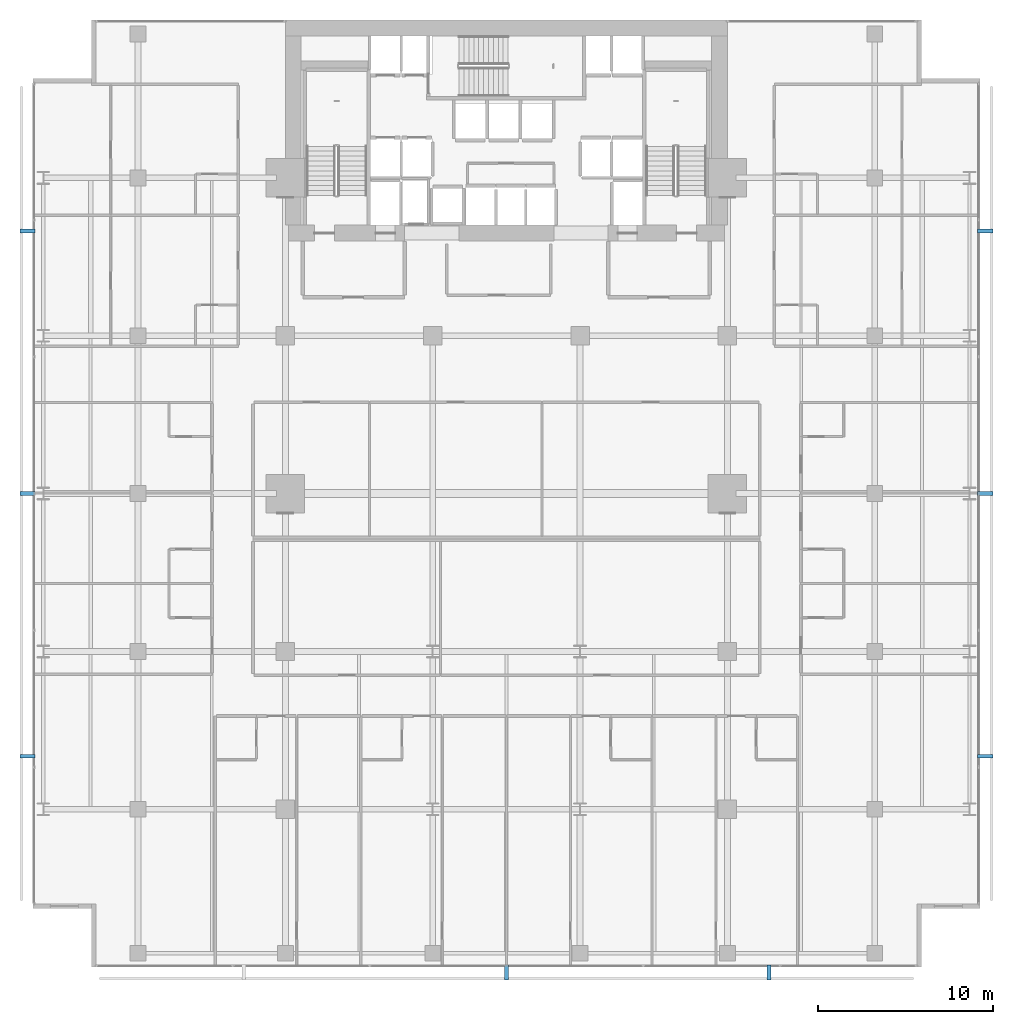
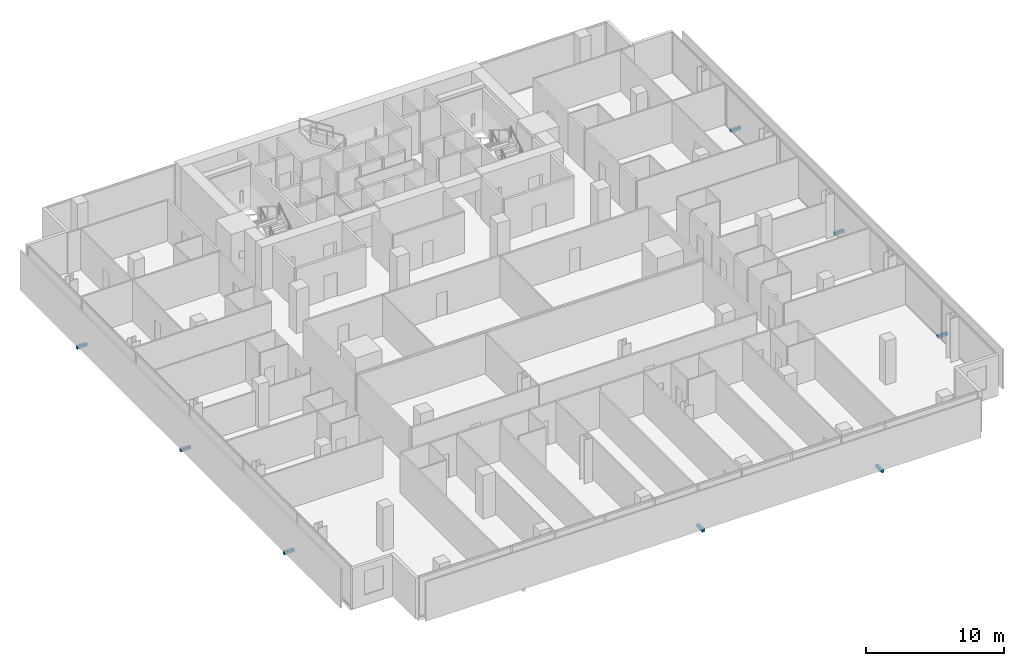
# One storey, part 38 of 40: 8 discrete accessories.
"""IFC4 building model written with IfcOpenShell, lengths in metres."""

from ifc_helpers import new_model, si_unit, direction, frame, origin, origin_2d, place, context, subcontext, project, spatial, rectangle, extrude, material, type_object, element, save


model = new_model("IFC4")

# Units and contexts
model_context = context("Model", 3, precision=1e-05, world=origin(), true_north=direction((0.0, 1.0)))
body_context = subcontext(model_context, "Body", "Model", "MODEL_VIEW")
ifc_project = project(units=[si_unit("LENGTHUNIT", "METRE"), si_unit("AREAUNIT", "SQUARE_METRE"), si_unit("VOLUMEUNIT", "CUBIC_METRE"), si_unit("PLANEANGLEUNIT", "RADIAN"), si_unit("MASSUNIT", "GRAM", prefix="KILO")], contexts=[model_context])

# Site, building, storey
site_placement = place(None, origin())
site = spatial("IfcSite", under=ifc_project, at=site_placement, CompositionType="ELEMENT")
building_placement = place(site_placement, origin())
building = spatial("IfcBuilding", under=site, at=building_placement, Name="Maruvema Waterfront Hotel and Observation Tower", CompositionType="ELEMENT")
storey_placement = place(building_placement, frame((0.0, 0.0, 42.35009765625)))
storey = spatial("IfcBuildingStorey", under=building, at=storey_placement, Name="L09", CompositionType="ELEMENT", Elevation=42.35009765625)

# Discrete accessories
ifc_material = material(Name="Duplex stainless steel Grade 2205", Category="steel")
discrete_accessory_type = type_object("IfcDiscreteAccessoryType", Name="Double-Skin Cavity Stainless Outrigger Bracket", PredefinedType="BRACKET", material=ifc_material)
for number, where, z_axis, x_axis, name in (
    (1, (37.800048828125, -0.300048828125, -0.14013671875), (0.0, 0.0, 1.0), (1.0, 0.0, 0.0), "L09 Outer Skin Support Bracket 2"),
    (2, (52.77587890625, -0.300048828125, -0.14013671875), (0.0, 0.0, 1.0), (1.0, 0.0, 0.0), "L09 Outer Skin Support Bracket 3"),
    (3, (65.10009765625, 12.02392578125, -0.14013671875), (0.0, 0.0, 1.0), (0.0, 1.0, 0.0), "L09 Outer Skin Support Bracket 1"),
    (4, (65.10009765625, 27.0, -0.14013671875), (0.0, 0.0, 1.0), (0.0, 1.0, 0.0), "L09 Outer Skin Support Bracket 2"),
    (5, (65.10009765625, 41.97607421875, -0.14013671875), (0.0, 0.0, 1.0), (0.0, 1.0, 0.0), "L09 Outer Skin Support Bracket 3"),
    (6, (10.5, 41.97607421875, -0.14013671875), (0.0, 0.0, 1.0), (0.0, -1.0, 0.0), "L09 Outer Skin Support Bracket 1"),
    (7, (10.5, 27.0, -0.14013671875), (0.0, 0.0, 1.0), (0.0, -1.0, 0.0), "L09 Outer Skin Support Bracket 2"),
    (8, (10.5, 12.02392578125, -0.14013671875), (0.0, 0.0, 1.0), (0.0, -1.0, 0.0), "L09 Outer Skin Support Bracket 3"),
):
    element("IfcDiscreteAccessory", number, at=place(storey_placement, frame(where, z_axis=z_axis, x_axis=x_axis)), inside=storey, type_object=discrete_accessory_type, Name=name, PredefinedType="BRACKET", context=body_context, shape_type="SweptSolid", body=[
        extrude(rectangle(XDim=0.219970703125, YDim=0.860107421875, at=origin_2d()), origin(), (0.0, 0.0, 1.0), 0.239990234375),
    ])

save(model, "model.ifc")
